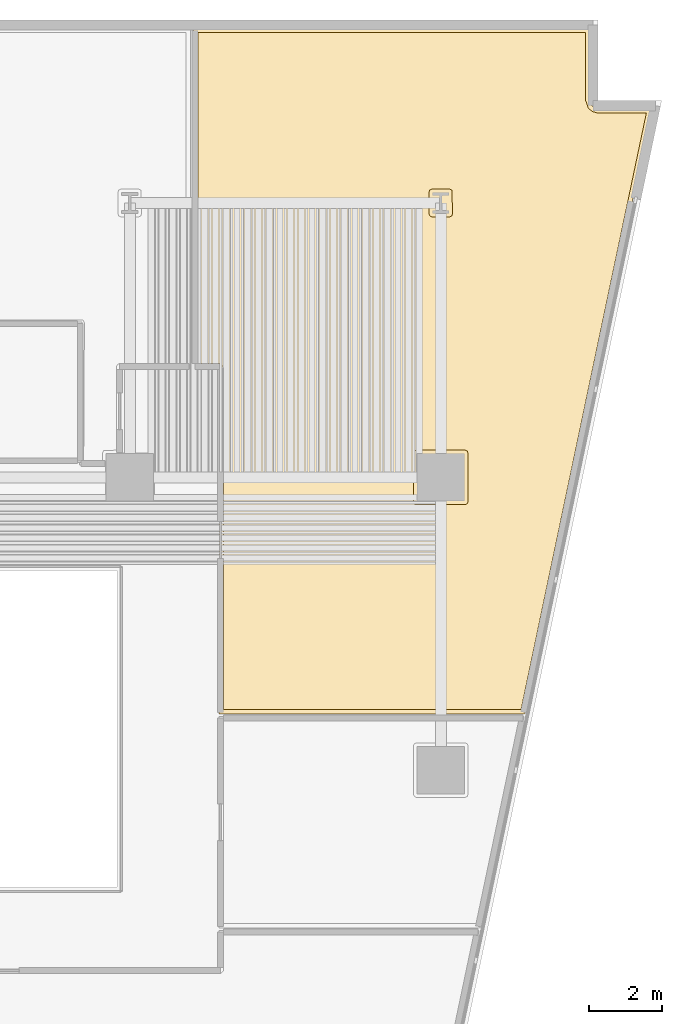
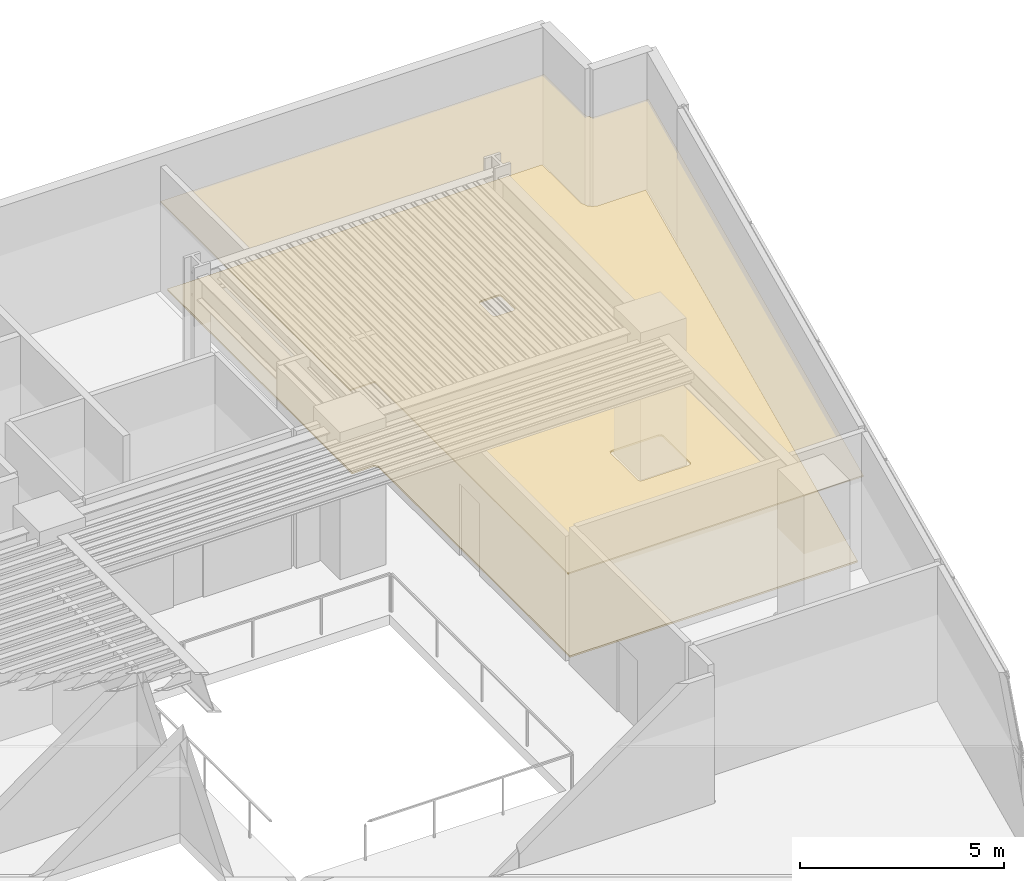
# One storey, part 11 of 11: 2 coverings.
"""IFC4 building model written with IfcOpenShell, lengths in metres."""

from ifc_helpers import new_model, si_unit, direction, frame, origin, place, context, subcontext, project, spatial, polyline, outline, extrude, material, layer, layer_set, type_object, element, save


model = new_model("IFC4")

# Units and contexts
model_context = context("Model", 3, precision=1e-05, world=origin(), true_north=direction((0.0, 1.0)))
body_context = subcontext(model_context, "Body", "Model", "MODEL_VIEW")
ifc_project = project(units=[si_unit("LENGTHUNIT", "METRE"), si_unit("AREAUNIT", "SQUARE_METRE"), si_unit("VOLUMEUNIT", "CUBIC_METRE"), si_unit("PLANEANGLEUNIT", "RADIAN"), si_unit("MASSUNIT", "GRAM", prefix="KILO")], contexts=[model_context])

# Site, building, storey
site_placement = place(None, origin())
site = spatial("IfcSite", under=ifc_project, at=site_placement, CompositionType="ELEMENT")
building_placement = place(site_placement, origin())
building = spatial("IfcBuilding", under=site, at=building_placement, Name="Caeloran Harvest Quay", CompositionType="ELEMENT")
storey_placement = place(building_placement, frame((0.0, 0.0, 66.60009765625)))
storey = spatial("IfcBuildingStorey", under=building, at=storey_placement, Name="L15", CompositionType="ELEMENT", Elevation=66.60009765625)

# Coverings
ifc_material_1 = material(Name="Perforated Mineral-Fibre Acoustic Ceiling Tile", Category="ceiling")
ifc_layer_1 = layer(ifc_material_1, 0.0400390625, Name="Perforated Mineral-Fibre Acoustic Ceiling Tile")
ifc_layer_set_1 = layer_set([ifc_layer_1], Name="Perforated Mineral-Fibre Acoustic Ceiling Tile")
covering_type_1 = type_object("IfcCoveringType", Name="COV-CEILING-ACOUSTIC", PredefinedType="CEILING", material=ifc_layer_set_1)
covering_1_placement = place(storey_placement, frame((0.0, 0.0, 2.599853515625)))
element("IfcCovering", 1, at=covering_1_placement, inside=storey, type_object=covering_type_1, Name="Medicinal Plant Aeroponic Room 10 Acoustic Ceiling", PredefinedType="CEILING", context=body_context, shape_type="SweptSolid", body=[
    extrude(outline(polyline([(44.239990234375, 43.280029296875), (55.080078125, 43.280029296875), (55.080078125, 41.301025390625), (55.089599609375, 41.236083984375), (55.1298828125, 41.160400390625), (55.1962890625, 41.10595703125), (55.2783203125, 41.0810546875), (56.766845703125, 41.080078125), (53.292236328125, 24.5400390625), (44.93994140625, 24.5400390625), (44.93994140625, 33.989990234375), (44.239990234375, 33.989990234375), (44.239990234375, 43.280029296875)])), origin(), (0.0, 0.0, 1.0), 0.0400390625),
])
ifc_material_2 = material(Name="Calcium-Sulphate Raised Access Floor and Terrazzo Finish", Category="flooring")
ifc_layer_2 = layer(ifc_material_2, 0.050048828125, Name="Calcium-Sulphate Raised Access Floor and Terrazzo Finish")
ifc_layer_set_2 = layer_set([ifc_layer_2], Name="Calcium-Sulphate Raised Access Floor and Terrazzo Finish")
covering_type_2 = type_object("IfcCoveringType", Name="COV-FLOOR-RAISED", PredefinedType="FLOORING", material=ifc_layer_set_2)
covering_2_placement = place(storey_placement, origin())
element("IfcCovering", 2, at=covering_2_placement, inside=storey, type_object=covering_type_2, Name="Medicinal Plant Aeroponic Room 10 Raised Finish Flooring", PredefinedType="FLOORING", context=body_context, shape_type="SweptSolid", body=[
    extrude(outline(polyline([(45.056396484375, 34.028076171875), (44.964599609375, 34.10888671875), (44.360107421875, 34.110107421875), (44.360107421875, 43.159912109375), (54.9599609375, 43.159912109375), (54.960205078125, 41.296142578125), (55.034912109375, 41.08740234375), (55.143310546875, 40.998291015625), (55.2705078125, 40.961181640625), (56.618896484375, 40.9599609375), (53.19482421875, 24.659912109375), (45.06005859375, 24.659912109375), (45.056396484375, 34.028076171875)]), holes=[polyline([(51.7451171875, 31.6650390625), (51.7216796875, 31.7216796875), (51.6650390625, 31.7451171875), (50.3349609375, 31.7451171875), (50.2783203125, 31.7216796875), (50.2548828125, 31.6650390625), (50.2548828125, 30.3349609375), (50.2783203125, 30.2783203125), (50.3349609375, 30.2548828125), (51.6650390625, 30.2548828125), (51.7216796875, 30.2783203125), (51.7451171875, 30.3349609375), (51.7451171875, 31.6650390625)]), polyline([(51.322021484375, 38.200439453125), (51.3037109375, 38.850341796875), (51.249755859375, 38.879150390625), (50.758056640625, 38.87939453125), (50.701416015625, 38.856201171875), (50.677978515625, 38.799560546875), (50.677978515625, 38.200439453125), (50.701416015625, 38.143798828125), (50.758056640625, 38.12060546875), (51.241943359375, 38.12060546875), (51.298583984375, 38.143798828125), (51.322021484375, 38.200439453125)])]), origin(), (0.0, 0.0, 1.0), 0.0498046875),
])

save(model, "model.ifc")
